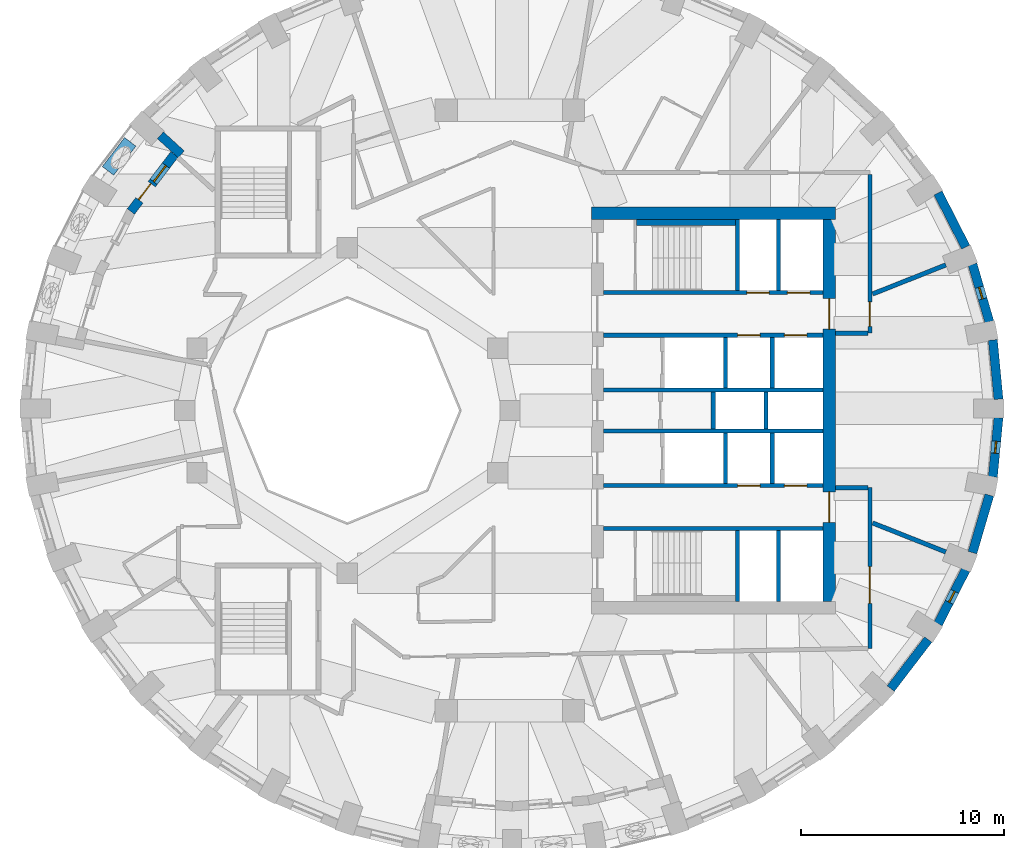
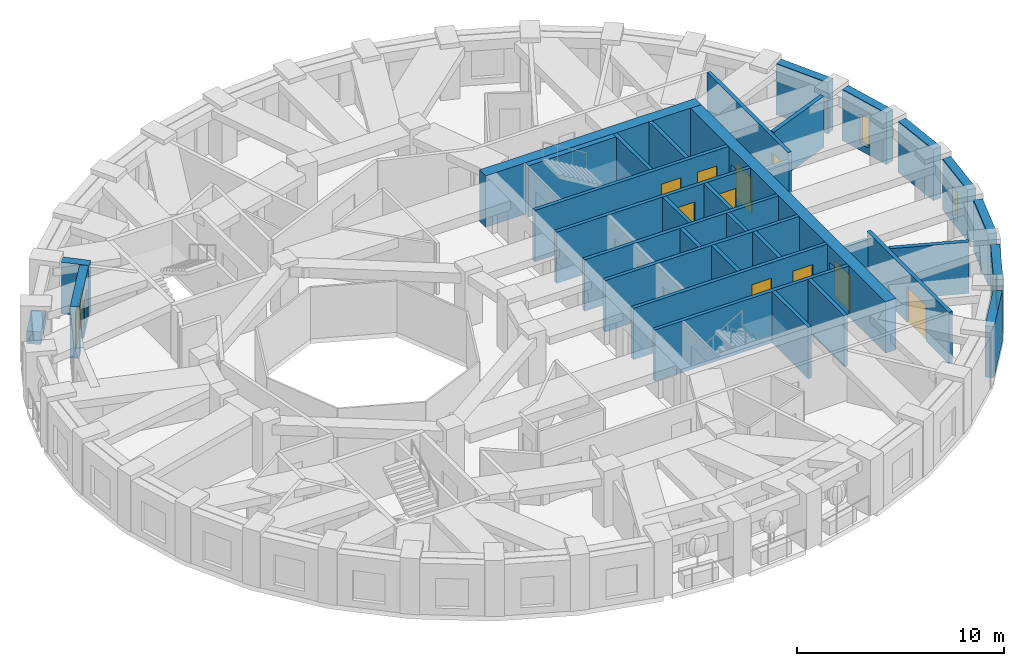
# One storey, part 6 of 11: 35 walls, 11 doors, 4 windows, 15 openings.
"""IFC4 building model written with IfcOpenShell, lengths in metres."""

from ifc_helpers import new_model, si_unit, direction, frame, frame_2d, origin, place, context, subcontext, project, spatial, rectangle, extrude, material, layer, layer_set, constituent, constituent_set, type_object, element, fill, save


model = new_model("IFC4")

# Units and contexts
model_context = context("Model", 3, precision=1e-05, world=origin(), true_north=direction((0.0, 1.0)))
body_context = subcontext(model_context, "Body", "Model", "MODEL_VIEW")
ifc_project = project(units=[si_unit("LENGTHUNIT", "METRE"), si_unit("AREAUNIT", "SQUARE_METRE"), si_unit("VOLUMEUNIT", "CUBIC_METRE"), si_unit("PLANEANGLEUNIT", "RADIAN"), si_unit("MASSUNIT", "GRAM", prefix="KILO")], contexts=[model_context])

# Site, building, storey
site_placement = place(None, origin())
site = spatial("IfcSite", under=ifc_project, at=site_placement, CompositionType="ELEMENT")
building_placement = place(site_placement, origin())
building = spatial("IfcBuilding", under=site, at=building_placement, Name="Taillehof Tower", CompositionType="ELEMENT")
storey_placement = place(building_placement, frame((0.0, 0.0, 158.300048828125)))
storey = spatial("IfcBuildingStorey", under=building, at=storey_placement, Name="L44", CompositionType="ELEMENT", Elevation=158.300048828125)

# Wall
ifc_material_1 = material(Name="Brick masonry", Category="masonry")
ifc_layer_1 = layer(ifc_material_1, 0.449951171875)
ifc_layer_set_1 = layer_set([ifc_layer_1], Name="Brick infill wall 450")
wall_type_1 = type_object("IfcWallType", Name="Brick infill wall 450", PredefinedType="SOLIDWALL", material=ifc_layer_set_1)
wall_1_placement = place(storey_placement, frame((24.030517578125, 0.55517578125, 0.0), z_axis=(0.0, 0.0, 1.0), x_axis=(-0.095265737322, 0.995451876935, 0.0)))
element("IfcWall", 1, at=wall_1_placement, inside=storey, type_object=wall_type_1, Name="Brick wall L44 bay 1", PredefinedType="SOLIDWALL", context=body_context, shape_type="SweptSolid", body=[
    extrude(rectangle(XDim=2.9267578125, YDim=0.449951171875, at=frame_2d((1.46337890625, 0.0))), origin(), (0.0, 0.0, 1.0), 3.02001953125),
])

# Wall, opening, window
wall_2_placement = place(storey_placement, frame((23.579833984375, 4.3623046875, 0.0), z_axis=(0.0, 0.0, 1.0), x_axis=(-0.281049481624, 0.959693278542, 0.0)))
wall_2 = element("IfcWall", 2, at=wall_2_placement, inside=storey, type_object=wall_type_1, Name="Brick wall L44 bay 2", PredefinedType="SOLIDWALL", context=body_context, shape_type="SweptSolid", body=[
    extrude(rectangle(XDim=2.947509765625, YDim=0.449951171875, at=frame_2d((1.4736328125, 0.0))), origin(), (0.0, 0.0, 1.0), 3.02001953125),
])
opening_1_placement = place(wall_2_placement, frame((1.173583984375, 0.0, 0.39990234375)))
opening_1 = element("IfcOpeningElement", 3, at=opening_1_placement, cuts=wall_2, Name="Opening W6", PredefinedType="OPENING", context=body_context, shape_type="SweptSolid", body=[
    extrude(rectangle(XDim=0.60009765625, YDim=1.75, at=frame_2d((0.300048828125, 0.875))), frame((0.0, 0.23486328125, 0.0), z_axis=(0.0, -1.0, 0.0), x_axis=(1.0, 0.0, 0.0)), (0.0, 0.0, 1.0), 0.469970703125),
])
ifc_material_2 = material(Name="Aluminium window frame with clear double glazing", Category="aluminium")
window_type_1 = type_object("IfcWindowType", Name="Slot window 600x1750", PartitioningType="SINGLE_PANEL", PredefinedType="WINDOW", material=ifc_material_2)
window_1_placement = place(opening_1_placement, origin())
window_1 = element("IfcWindow", 4, at=window_1_placement, inside=storey, type_object=window_type_1, Name="W6", OverallHeight=1.75, OverallWidth=0.60009765625, PartitioningType="SINGLE_PANEL", PredefinedType="WINDOW", context=body_context, shape_type="SweptSolid", body=[
    extrude(rectangle(XDim=0.60009765625, YDim=1.75, at=frame_2d((0.300048828125, 0.875))), frame((0.0, 0.034912109375, 0.0), z_axis=(0.0, -1.0, 0.0), x_axis=(1.0, 0.0, 0.0)), (0.0, 0.0, 1.0), 0.06005859375),
])
fill(opening_1, window_1)

# Walls
wall_3_placement = place(storey_placement, frame((22.415283203125, 8.036865234375, 0.0), z_axis=(0.0, 0.0, 1.0), x_axis=(-0.454133999889, 0.890933392653, 0.0)))
element("IfcWall", 5, at=wall_3_placement, inside=storey, type_object=wall_type_1, Name="Brick wall L44 bay 3", PredefinedType="SOLIDWALL", context=body_context, shape_type="SweptSolid", body=[
    extrude(rectangle(XDim=2.98583984375, YDim=0.449951171875, at=frame_2d((1.492919921875, 0.0))), origin(), (0.0, 0.0, 1.0), 3.02001953125),
])
wall_4_placement = place(storey_placement, frame((18.72802734375, -13.6787109375, 0.0), z_axis=(0.0, 0.0, 1.0), x_axis=(0.607817056371, 0.794077090706, 0.0)))
element("IfcWall", 6, at=wall_4_placement, inside=storey, type_object=wall_type_1, Name="Brick wall L44 bay 33", PredefinedType="SOLIDWALL", context=body_context, shape_type="SweptSolid", body=[
    extrude(rectangle(XDim=3.037109375, YDim=0.449951171875, at=frame_2d((1.5185546875, 0.0))), origin(), (0.0, 0.0, 1.0), 3.02001953125),
])

# Wall, opening, window
wall_5_placement = place(storey_placement, frame((21.059326171875, -10.4970703125, 0.0), z_axis=(0.0, 0.0, 1.0), x_axis=(0.454133999889, 0.890933392653, 0.0)))
wall_5 = element("IfcWall", 7, at=wall_5_placement, inside=storey, type_object=wall_type_1, Name="Brick wall L44 bay 34", PredefinedType="SOLIDWALL", context=body_context, shape_type="SweptSolid", body=[
    extrude(rectangle(XDim=2.98583984375, YDim=0.449951171875, at=frame_2d((1.492919921875, 0.0))), origin(), (0.0, 0.0, 1.0), 3.02001953125),
])
opening_2_placement = place(wall_5_placement, frame((1.19287109375, 0.0, 0.39990234375)))
opening_2 = element("IfcOpeningElement", 8, at=opening_2_placement, cuts=wall_5, Name="Opening W6", PredefinedType="OPENING", context=body_context, shape_type="SweptSolid", body=[
    extrude(rectangle(XDim=0.60009765625, YDim=1.75, at=frame_2d((0.300048828125, 0.875))), frame((0.0, 0.23486328125, 0.0), z_axis=(0.0, -1.0, 0.0), x_axis=(1.0, 0.0, 0.0)), (0.0, 0.0, 1.0), 0.469970703125),
])
window_2_placement = place(opening_2_placement, origin())
window_2 = element("IfcWindow", 9, at=window_2_placement, inside=storey, type_object=window_type_1, Name="W6", OverallHeight=1.75, OverallWidth=0.60009765625, PartitioningType="SINGLE_PANEL", PredefinedType="WINDOW", context=body_context, shape_type="SweptSolid", body=[
    extrude(rectangle(XDim=0.60009765625, YDim=1.75, at=frame_2d((0.300048828125, 0.875))), frame((0.0, 0.034912109375, 0.0), z_axis=(0.0, -1.0, 0.0), x_axis=(1.0, 0.0, 0.0)), (0.0, 0.0, 1.0), 0.06005859375),
])
fill(opening_2, window_2)

# Wall
wall_6_placement = place(storey_placement, frame((22.75146484375, -6.990966796875, 0.0), z_axis=(0.0, 0.0, 1.0), x_axis=(0.281049481624, 0.959693278542, 0.0)))
element("IfcWall", 10, at=wall_6_placement, inside=storey, type_object=wall_type_1, Name="Brick wall L44 bay 35", PredefinedType="SOLIDWALL", context=body_context, shape_type="SweptSolid", body=[
    extrude(rectangle(XDim=2.947509765625, YDim=0.449951171875, at=frame_2d((1.4736328125, 0.0))), origin(), (0.0, 0.0, 1.0), 3.02001953125),
])

# Wall, opening, window
wall_7_placement = place(storey_placement, frame((23.751708984375, -3.2685546875, 0.0), z_axis=(0.0, 0.0, 1.0), x_axis=(0.095257827044, 0.995452633924, 0.0)))
wall_7 = element("IfcWall", 11, at=wall_7_placement, inside=storey, type_object=wall_type_1, Name="Brick wall L44 bay 36", PredefinedType="SOLIDWALL", context=body_context, shape_type="SweptSolid", body=[
    extrude(rectangle(XDim=2.927001953125, YDim=0.449951171875, at=frame_2d((1.46337890625, 0.0))), origin(), (0.0, 0.0, 1.0), 3.02001953125),
])
opening_3_placement = place(wall_7_placement, frame((1.163330078125, 0.0, 0.39990234375)))
opening_3 = element("IfcOpeningElement", 12, at=opening_3_placement, cuts=wall_7, Name="Opening W6", PredefinedType="OPENING", context=body_context, shape_type="SweptSolid", body=[
    extrude(rectangle(XDim=0.60009765625, YDim=1.75, at=frame_2d((0.300048828125, 0.875))), frame((0.0, 0.23486328125, 0.0), z_axis=(0.0, -1.0, 0.0), x_axis=(1.0, 0.0, 0.0)), (0.0, 0.0, 1.0), 0.469970703125),
])
window_3_placement = place(opening_3_placement, origin())
window_3 = element("IfcWindow", 13, at=window_3_placement, inside=storey, type_object=window_type_1, Name="W6", OverallHeight=1.75, OverallWidth=0.60009765625, PartitioningType="SINGLE_PANEL", PredefinedType="WINDOW", context=body_context, shape_type="SweptSolid", body=[
    extrude(rectangle(XDim=0.60009765625, YDim=1.75, at=frame_2d((0.300048828125, 0.875))), frame((0.0, 0.034912109375, 0.0), z_axis=(0.0, -1.0, 0.0), x_axis=(1.0, 0.0, 0.0)), (0.0, 0.0, 1.0), 0.06005859375),
])
fill(opening_3, window_3)

# Wall
wall_8_placement = place(storey_placement, frame((-17.19482421875, 13.537353515625, 0.0), z_axis=(0.0, 0.0, 1.0), x_axis=(0.737918885826, -0.674889411638, 0.0)))
element("IfcWall", 14, at=wall_8_placement, inside=storey, type_object=wall_type_1, Name="Brick reveal L44 pocket 4", PredefinedType="SOLIDWALL", context=body_context, shape_type="SweptSolid", body=[
    extrude(rectangle(XDim=1.390625, YDim=0.449951171875, at=frame_2d((0.6953125, 0.0))), origin(), (0.0, 0.0, 1.0), 3.02001953125),
])

# Wall, openings, door, window
wall_9_placement = place(storey_placement, frame((-16.500732421875, 12.59765625, 0.0), z_axis=(0.0, 0.0, 1.0), x_axis=(-0.606778881252, -0.794870674554, 0.0)))
wall_9 = element("IfcWall", 15, at=wall_9_placement, inside=storey, type_object=wall_type_1, Name="Brick wall L44 pocket bay 15", PredefinedType="SOLIDWALL", context=body_context, shape_type="SweptSolid", body=[
    extrude(rectangle(XDim=3.538330078125, YDim=0.449951171875, at=frame_2d((1.76904296875, 0.0))), origin(), (0.0, 0.0, 1.0), 3.02001953125),
])
opening_4_placement = place(wall_9_placement, frame((0.694091796875, 0.0, 0.39990234375)))
opening_4 = element("IfcOpeningElement", 16, at=opening_4_placement, cuts=wall_9, Name="Opening W5", PredefinedType="OPENING", context=body_context, shape_type="SweptSolid", body=[
    extrude(rectangle(XDim=1.0, YDim=1.75, at=frame_2d((0.5, 0.875))), frame((0.0, 0.23486328125, 0.0), z_axis=(0.0, -1.0, 0.0), x_axis=(1.0, 0.0, 0.0)), (0.0, 0.0, 1.0), 0.469970703125),
])
opening_5_placement = place(wall_9_placement, frame((1.84423828125, 0.0, 0.0)))
opening_5 = element("IfcOpeningElement", 17, at=opening_5_placement, cuts=wall_9, Name="Opening D4494", PredefinedType="OPENING", context=body_context, shape_type="SweptSolid", body=[
    extrude(rectangle(XDim=1.0, YDim=2.14990234375, at=frame_2d((0.5, 1.074951171875))), frame((0.0, 0.23486328125, 0.0), z_axis=(0.0, -1.0, 0.0), x_axis=(1.0, 0.0, 0.0)), (0.0, 0.0, 1.0), 0.469970703125),
])
ifc_material_3 = material(Name="Aluminium door frame with clear double glazing", Category="aluminium")
door_type_1 = type_object("IfcDoorType", Name="Balcony door 1000x2150", OperationType="SINGLE_SWING_RIGHT", PredefinedType="DOOR", material=ifc_material_3)
door_1_placement = place(opening_5_placement, frame((1.0, 0.0, 0.0), z_axis=(0.0, 0.0, 1.0), x_axis=(-1.0, 0.0, 0.0)))
door_1 = element("IfcDoor", 18, at=door_1_placement, inside=storey, type_object=door_type_1, Name="Balcony door L44 bay 15", OperationType="SINGLE_SWING_RIGHT", OverallHeight=2.14990234375, OverallWidth=1.0, PredefinedType="DOOR", context=body_context, shape_type="SweptSolid", body=[
    extrude(rectangle(XDim=1.0, YDim=2.14990234375, at=frame_2d((0.5, 1.074951171875))), frame((0.0, 0.0751953125, 0.0), z_axis=(0.0, -1.0, 0.0), x_axis=(1.0, 0.0, 0.0)), (0.0, 0.0, 1.0), 0.050048828125),
])
fill(opening_5, door_1)
ifc_material_4 = material(Name="Aluminium window frame with clear double glazing", Category="aluminium")
window_type_2 = type_object("IfcWindowType", Name="Fixed window 1000x1750", PartitioningType="SINGLE_PANEL", PredefinedType="WINDOW", material=ifc_material_4)
window_4_placement = place(opening_4_placement, origin())
window_4 = element("IfcWindow", 19, at=window_4_placement, inside=storey, type_object=window_type_2, Name="W5", OverallHeight=1.75, OverallWidth=1.0, PartitioningType="SINGLE_PANEL", PredefinedType="WINDOW", context=body_context, shape_type="SweptSolid", body=[
    extrude(rectangle(XDim=1.0, YDim=1.75, at=frame_2d((0.5, 0.875))), frame((0.0, 0.034912109375, 0.0), z_axis=(0.0, -1.0, 0.0), x_axis=(1.0, 0.0, 0.0)), (0.0, 0.0, 1.0), 0.06005859375),
])
fill(opening_4, window_4)

# Walls
ifc_material_5 = material(Name="Calcium silicate masonry", Category="masonry")
ifc_layer_2 = layer(ifc_material_5, 0.199951171875)
ifc_layer_set_2 = layer_set([ifc_layer_2], Name="Compartment wall calcium silicate 200")
wall_type_2 = type_object("IfcWallType", Name="Compartment wall calcium silicate 200", PredefinedType="PARTITIONING", material=ifc_layer_set_2)
for number, where, z_axis, x_axis, name in (
    (20, (10.0, -0.89990234375, 0.0), (0.0, 0.0, 1.0), (0.0, 1.0, 0.0), "Compartment wall FW"),
    (21, (12.60009765625, -0.89990234375, 0.0), (0.0, 0.0, 1.0), (0.0, 1.0, 0.0), "Compartment wall FW"),
):
    element("IfcWall", number, at=place(storey_placement, frame(where, z_axis=z_axis, x_axis=x_axis)), inside=storey, type_object=wall_type_2, Name=name, PredefinedType="PARTITIONING", context=body_context, shape_type="SweptSolid", body=[
        extrude(rectangle(XDim=1.7998046875, YDim=0.199951171875, at=frame_2d((0.89990234375, 0.0))), origin(), (0.0, 0.0, 1.0), 3.02001953125),
    ])

# Wall, opening, door
ifc_material_6 = material(Name="Gypsum board on steel studs, two layers each side", Category="steel")
ifc_layer_3 = layer(ifc_material_6, 0.199951171875)
ifc_layer_set_3 = layer_set([ifc_layer_3], Name="Compartment wall corridor 200")
wall_type_3 = type_object("IfcWallType", Name="Compartment wall corridor 200", PredefinedType="PARTITIONING", material=ifc_layer_set_3)
wall_10_placement = place(storey_placement, frame((17.699951171875, -3.800048828125, 0.0), z_axis=(0.0, 0.0, 1.0), x_axis=(0.0, -1.0, 0.0)))
wall_10 = element("IfcWall", 22, at=wall_10_placement, inside=storey, type_object=wall_type_3, Name="Compartment wall", PredefinedType="PARTITIONING", context=body_context, shape_type="SweptSolid", body=[
    extrude(rectangle(XDim=7.89990234375, YDim=0.199951171875, at=frame_2d((3.949951171875, 0.0))), origin(), (0.0, 0.0, 1.0), 3.02001953125),
])
opening_6_placement = place(wall_10_placement, frame((3.8828125, 0.0, 0.0)))
opening_6 = element("IfcOpeningElement", 23, at=opening_6_placement, cuts=wall_10, Name="Opening D4456", PredefinedType="OPENING", context=body_context, shape_type="SweptSolid", body=[
    extrude(rectangle(XDim=1.800048828125, YDim=2.10009765625, at=frame_2d((0.89990234375, 1.050048828125))), frame((0.0, 0.10986328125, 0.0), z_axis=(0.0, -1.0, 0.0), x_axis=(1.0, 0.0, 0.0)), (0.0, 0.0, 1.0), 0.219970703125),
])
ifc_material_7 = material(Name="Timber door leaf in steel frame", Category="steel")
door_type_2 = type_object("IfcDoorType", Name="Lounge and meeting room double door EI 30 1800 x 2100", OperationType="SINGLE_SWING_LEFT", PredefinedType="DOOR", material=ifc_material_7)
door_2_placement = place(opening_6_placement, origin())
door_2 = element("IfcDoor", 24, at=door_2_placement, inside=storey, type_object=door_type_2, Name="D4456", OperationType="DOUBLE_DOOR_SINGLE_SWING", OverallHeight=2.10009765625, OverallWidth=1.800048828125, PredefinedType="DOOR", context=body_context, shape_type="SweptSolid", body=[
    extrude(rectangle(XDim=1.800048828125, YDim=2.10009765625, at=frame_2d((0.89990234375, 1.050048828125))), frame((0.0, 0.02490234375, 0.0), z_axis=(0.0, -1.0, 0.0), x_axis=(1.0, 0.0, 0.0)), (0.0, 0.0, 1.0), 0.050048828125),
])
fill(opening_6, door_2)

wall_11_placement = place(storey_placement, frame((17.699951171875, 11.599853515625, 0.0), z_axis=(0.0, 0.0, 1.0), x_axis=(0.0, -1.0, 0.0)))
wall_11 = element("IfcWall", 25, at=wall_11_placement, inside=storey, type_object=wall_type_3, Name="Compartment wall", PredefinedType="PARTITIONING", context=body_context, shape_type="SweptSolid", body=[
    extrude(rectangle(XDim=7.7998046875, YDim=0.199951171875, at=frame_2d((3.89990234375, 0.0))), origin(), (0.0, 0.0, 1.0), 3.02001953125),
])
opening_7_placement = place(wall_11_placement, frame((6.25634765625, 0.0, 0.0)))
opening_7 = element("IfcOpeningElement", 26, at=opening_7_placement, cuts=wall_11, Name="Opening D4457", PredefinedType="OPENING", context=body_context, shape_type="SweptSolid", body=[
    extrude(rectangle(XDim=1.199951171875, YDim=2.10009765625, at=frame_2d((0.60009765625, 1.050048828125))), frame((0.0, 0.10986328125, 0.0), z_axis=(0.0, -1.0, 0.0), x_axis=(1.0, 0.0, 0.0)), (0.0, 0.0, 1.0), 0.219970703125),
])
ifc_material_8 = material(Name="Timber door leaf in steel frame", Category="steel")
door_type_3 = type_object("IfcDoorType", Name="Suite entrance door EI 30 1200 x 2100", OperationType="SINGLE_SWING_LEFT", PredefinedType="DOOR", material=ifc_material_8)
door_3_placement = place(opening_7_placement, origin())
door_3 = element("IfcDoor", 27, at=door_3_placement, inside=storey, type_object=door_type_3, Name="D4457", OperationType="SINGLE_SWING_LEFT", OverallHeight=2.10009765625, OverallWidth=1.199951171875, PredefinedType="DOOR", context=body_context, shape_type="SweptSolid", body=[
    extrude(rectangle(XDim=1.199951171875, YDim=2.10009765625, at=frame_2d((0.60009765625, 1.050048828125))), frame((0.0, 0.02490234375, 0.0), z_axis=(0.0, -1.0, 0.0), x_axis=(1.0, 0.0, 0.0)), (0.0, 0.0, 1.0), 0.050048828125),
])
fill(opening_7, door_3)

# Walls
for number, where, z_axis, x_axis, name in (
    (28, (17.599853515625, 3.800048828125, 0.0), (0.0, 0.0, 1.0), (-1.0, 0.0, 0.0), "Compartment wall"),
    (29, (16.00390625, -3.800048828125, 0.0), (0.0, 0.0, 1.0), (1.0, 0.0, 0.0), "Compartment wall"),
):
    element("IfcWall", number, at=place(storey_placement, frame(where, z_axis=z_axis, x_axis=x_axis)), inside=storey, type_object=wall_type_3, Name=name, PredefinedType="PARTITIONING", context=body_context, shape_type="SweptSolid", body=[
        extrude(rectangle(XDim=1.595947265625, YDim=0.199951171875, at=frame_2d((0.7978515625, 0.0))), origin(), (0.0, 0.0, 1.0), 2.570068359375),
    ])
ifc_material_9 = material(Name="Gypsum board on double steel studs with mineral wool", Category="steel")
ifc_layer_4 = layer(ifc_material_9, 0.219970703125)
ifc_layer_set_4 = layer_set([ifc_layer_4], Name="Compartment wall guest room 220")
wall_type_4 = type_object("IfcWallType", Name="Compartment wall guest room 220", PredefinedType="PARTITIONING", material=ifc_layer_set_4)
for number, where, z_axis, x_axis, name in (
    (30, (21.438720703125, 7.15966796875, 0.0), (0.0, 0.0, 1.0), (-0.929511625875, -0.36879281089, 0.0), "Compartment wall"),
    (31, (21.438720703125, -6.959716796875, 0.0), (0.0, 0.0, 1.0), (-0.929511625875, 0.36879281089, 0.0), "Compartment wall"),
):
    element("IfcWall", number, at=place(storey_placement, frame(where, z_axis=z_axis, x_axis=x_axis)), inside=storey, type_object=wall_type_4, Name=name, PredefinedType="PARTITIONING", context=body_context, shape_type="SweptSolid", body=[
        extrude(rectangle(XDim=3.874755859375, YDim=0.219970703125, at=frame_2d((1.9375, 0.0))), origin(), (0.0, 0.0, 1.0), 3.02001953125),
    ])
ifc_material_10 = material(Name="Calcium silicate masonry", Category="masonry")
ifc_layer_5 = layer(ifc_material_10, 0.300048828125)
ifc_layer_set_5 = layer_set([ifc_layer_5], Name="Compartment wall lining calcium silicate 300")
wall_type_5 = type_object("IfcWallType", Name="Compartment wall lining calcium silicate 300", PredefinedType="PARTITIONING", material=ifc_layer_set_5)
wall_12_placement = place(storey_placement, frame((6.219970703125, 9.25, 0.0), z_axis=(0.0, 0.0, 1.0), x_axis=(1.0, 0.0, 0.0)))
element("IfcWall", 32, at=wall_12_placement, inside=storey, type_object=wall_type_5, Name="Compartment wall FW", PredefinedType="PARTITIONING", context=body_context, shape_type="SweptSolid", body=[
    extrude(rectangle(XDim=4.880126953125, YDim=0.300048828125, at=frame_2d((2.43994140625, 0.0))), origin(), (0.0, 0.0, 1.0), 3.02001953125),
])

# Wall, openings, doors
ifc_material_11 = material(Name="Concrete C80/95", Category="concrete")
ifc_layer_6 = layer(ifc_material_11, 0.60009765625)
ifc_layer_set_6 = layer_set([ifc_layer_6], Name="Core wall C80/95 600")
wall_type_6 = type_object("IfcWallType", Name="Core wall C80/95 600", PredefinedType="SHEAR", material=ifc_layer_set_6)
wall_13_placement = place(storey_placement, frame((15.699951171875, -9.39990234375, 0.0), z_axis=(0.0, 0.0, 1.0), x_axis=(0.0, 1.0, 0.0)))
wall_13 = element("IfcWall", 33, at=wall_13_placement, inside=storey, type_object=wall_type_6, Name="Core wall CW05", PredefinedType="SHEAR", context=body_context, shape_type="SweptSolid", body=[
    extrude(rectangle(XDim=18.7998046875, YDim=0.60009765625, at=frame_2d((9.39990234375, 0.0))), origin(), (0.0, 0.0, 1.0), 3.02001953125),
])
opening_8_placement = place(wall_13_placement, frame((13.39990234375, 0.0, 0.0)))
opening_8 = element("IfcOpeningElement", 34, at=opening_8_placement, cuts=wall_13, Name="Opening D4408", PredefinedType="OPENING", context=body_context, shape_type="SweptSolid", body=[
    extrude(rectangle(XDim=1.5, YDim=2.10009765625, at=frame_2d((0.75, 1.050048828125))), frame((0.0, 0.31005859375, 0.0), z_axis=(0.0, -1.0, 0.0), x_axis=(1.0, 0.0, 0.0)), (0.0, 0.0, 1.0), 0.6201171875),
])
opening_9_placement = place(wall_13_placement, frame((3.89990234375, 0.0, 0.0)))
opening_9 = element("IfcOpeningElement", 35, at=opening_9_placement, cuts=wall_13, Name="Opening D4409", PredefinedType="OPENING", context=body_context, shape_type="SweptSolid", body=[
    extrude(rectangle(XDim=1.5, YDim=2.10009765625, at=frame_2d((0.75, 1.050048828125))), frame((0.0, 0.31005859375, 0.0), z_axis=(0.0, -1.0, 0.0), x_axis=(1.0, 0.0, 0.0)), (0.0, 0.0, 1.0), 0.6201171875),
])
ifc_material_12 = material(Name="Steel-faced fire door", Category="steel")
door_type_4 = type_object("IfcDoorType", Name="Lift lobby east door 1500x2100", OperationType="DOUBLE_DOOR_SINGLE_SWING", PredefinedType="DOOR", material=ifc_material_12)
door_4_placement = place(opening_8_placement, origin())
door_4 = element("IfcDoor", 36, at=door_4_placement, inside=storey, type_object=door_type_4, Name="Lift lobby east door north", OperationType="DOUBLE_DOOR_SINGLE_SWING", OverallHeight=2.10009765625, OverallWidth=1.5, PredefinedType="DOOR", context=body_context, shape_type="SweptSolid", body=[
    extrude(rectangle(XDim=1.5, YDim=2.10009765625, at=frame_2d((0.75, 1.050048828125))), frame((0.0, 0.02490234375, 0.0), z_axis=(0.0, -1.0, 0.0), x_axis=(1.0, 0.0, 0.0)), (0.0, 0.0, 1.0), 0.050048828125),
])
fill(opening_8, door_4)
door_5_placement = place(opening_9_placement, origin())
door_5 = element("IfcDoor", 37, at=door_5_placement, inside=storey, type_object=door_type_4, Name="Lift lobby east door south", OperationType="DOUBLE_DOOR_SINGLE_SWING", OverallHeight=2.10009765625, OverallWidth=1.5, PredefinedType="DOOR", context=body_context, shape_type="SweptSolid", body=[
    extrude(rectangle(XDim=1.5, YDim=2.10009765625, at=frame_2d((0.75, 1.050048828125))), frame((0.0, 0.02490234375, 0.0), z_axis=(0.0, -1.0, 0.0), x_axis=(1.0, 0.0, 0.0)), (0.0, 0.0, 1.0), 0.050048828125),
])
fill(opening_9, door_5)

# Walls
wall_14_placement = place(storey_placement, frame((4.0, 9.699951171875, 0.0), z_axis=(0.0, 0.0, 1.0), x_axis=(1.0, 0.0, 0.0)))
element("IfcWall", 38, at=wall_14_placement, inside=storey, type_object=wall_type_6, Name="Core wall CW06", PredefinedType="SHEAR", context=body_context, shape_type="SweptSolid", body=[
    extrude(rectangle(XDim=12.0, YDim=0.60009765625, at=frame_2d((6.0, 0.0))), origin(), (0.0, 0.0, 1.0), 3.02001953125),
])
ifc_material_13 = material(Name="Concrete C30/37 precast", Category="concrete")
ifc_constituent_1 = constituent(ifc_material_13, Name="Structure", Category="concrete")
ifc_material_14 = material(Name="Insulated lining")
ifc_constituent_2 = constituent(ifc_material_14, Name="Lining")
ifc_constituent_set = constituent_set(constituents=[ifc_constituent_1, ifc_constituent_2], Name="Planter trough 700x750")
wall_type_7 = type_object("IfcWallType", Name="Planter trough 700x750", PredefinedType="USERDEFINED", material=ifc_constituent_set)
wall_15_placement = place(storey_placement, frame((-18.677978515625, 13.214111328125, 0.0), z_axis=(0.0, 0.0, 1.0), x_axis=(-0.607762189494, -0.794119084912, 0.0)))
element("IfcWall", 39, at=wall_15_placement, inside=storey, type_object=wall_type_7, Name="Planter L44 bay 15", ObjectType="PLANTER", PredefinedType="USERDEFINED", context=body_context, shape_type="SweptSolid", body=[
    extrude(rectangle(XDim=1.800048828125, YDim=0.699951171875, at=frame_2d((0.89990234375, 0.0))), origin(), (0.0, 0.0, 1.0), 0.75),
])

# Wall, openings, doors
ifc_material_15 = material(Name="Concrete C50/60", Category="concrete")
ifc_layer_7 = layer(ifc_material_15, 0.199951171875)
ifc_layer_set_7 = layer_set([ifc_layer_7], Name="Shaft wall C50/60 200")
wall_type_8 = type_object("IfcWallType", Name="Shaft wall C50/60 200", PredefinedType="SHEAR", material=ifc_layer_set_7)
wall_16_placement = place(storey_placement, frame((4.60009765625, 5.800048828125, 0.0), z_axis=(0.0, 0.0, 1.0), x_axis=(1.0, 0.0, 0.0)))
wall_16 = element("IfcWall", 40, at=wall_16_placement, inside=storey, type_object=wall_type_8, Name="Shaft wall SW", PredefinedType="SHEAR", context=body_context, shape_type="SweptSolid", body=[
    extrude(rectangle(XDim=10.7998046875, YDim=0.199951171875, at=frame_2d((5.39990234375, 0.0))), origin(), (0.0, 0.0, 1.0), 3.02001953125),
])
opening_10_placement = place(wall_16_placement, frame((7.050048828125, 0.0, 0.0)))
opening_10 = element("IfcOpeningElement", 41, at=opening_10_placement, cuts=wall_16, Name="Opening LD1", PredefinedType="OPENING", context=body_context, shape_type="SweptSolid", body=[
    extrude(rectangle(XDim=1.10009765625, YDim=2.10009765625, at=frame_2d((0.550048828125, 1.050048828125))), frame((0.0, 0.10986328125, 0.0), z_axis=(0.0, -1.0, 0.0), x_axis=(1.0, 0.0, 0.0)), (0.0, 0.0, 1.0), 0.219970703125),
])
opening_11_placement = place(wall_16_placement, frame((9.050048828125, 0.0, 0.0)))
opening_11 = element("IfcOpeningElement", 42, at=opening_11_placement, cuts=wall_16, Name="Opening LD1", PredefinedType="OPENING", context=body_context, shape_type="SweptSolid", body=[
    extrude(rectangle(XDim=1.10009765625, YDim=2.10009765625, at=frame_2d((0.550048828125, 1.050048828125))), frame((0.0, 0.10986328125, 0.0), z_axis=(0.0, -1.0, 0.0), x_axis=(1.0, 0.0, 0.0)), (0.0, 0.0, 1.0), 0.219970703125),
])
ifc_material_16 = material(Name="Stainless steel", Category="steel")
door_type_5 = type_object("IfcDoorType", Name="Lift landing door LD1 1100x2100", OperationType="DOUBLE_DOOR_SLIDING", PredefinedType="DOOR", material=ifc_material_16)
door_6_placement = place(opening_10_placement, origin())
door_6 = element("IfcDoor", 43, at=door_6_placement, inside=storey, type_object=door_type_5, Name="Landing door HR1", OperationType="DOUBLE_DOOR_SLIDING", OverallHeight=2.10009765625, OverallWidth=1.10009765625, PredefinedType="DOOR", context=body_context, shape_type="SweptSolid", body=[
    extrude(rectangle(XDim=1.10009765625, YDim=2.10009765625, at=frame_2d((0.550048828125, 1.050048828125))), frame((0.0, 0.02490234375, 0.0), z_axis=(0.0, -1.0, 0.0), x_axis=(1.0, 0.0, 0.0)), (0.0, 0.0, 1.0), 0.050048828125),
])
fill(opening_10, door_6)
door_7_placement = place(opening_11_placement, origin())
door_7 = element("IfcDoor", 44, at=door_7_placement, inside=storey, type_object=door_type_5, Name="Landing door HR2", OperationType="DOUBLE_DOOR_SLIDING", OverallHeight=2.10009765625, OverallWidth=1.10009765625, PredefinedType="DOOR", context=body_context, shape_type="SweptSolid", body=[
    extrude(rectangle(XDim=1.10009765625, YDim=2.10009765625, at=frame_2d((0.550048828125, 1.050048828125))), frame((0.0, 0.02490234375, 0.0), z_axis=(0.0, -1.0, 0.0), x_axis=(1.0, 0.0, 0.0)), (0.0, 0.0, 1.0), 0.050048828125),
])
fill(opening_11, door_7)

wall_17_placement = place(storey_placement, frame((4.60009765625, 3.699951171875, 0.0), z_axis=(0.0, 0.0, 1.0), x_axis=(1.0, 0.0, 0.0)))
wall_17 = element("IfcWall", 45, at=wall_17_placement, inside=storey, type_object=wall_type_8, Name="Shaft wall SW", PredefinedType="SHEAR", context=body_context, shape_type="SweptSolid", body=[
    extrude(rectangle(XDim=10.7998046875, YDim=0.199951171875, at=frame_2d((5.39990234375, 0.0))), origin(), (0.0, 0.0, 1.0), 3.02001953125),
])
opening_12_placement = place(wall_17_placement, frame((6.60009765625, 0.0, 0.0)))
opening_12 = element("IfcOpeningElement", 46, at=opening_12_placement, cuts=wall_17, Name="Opening LD1", PredefinedType="OPENING", context=body_context, shape_type="SweptSolid", body=[
    extrude(rectangle(XDim=1.10009765625, YDim=2.10009765625, at=frame_2d((0.550048828125, 1.050048828125))), frame((0.0, 0.10986328125, 0.0), z_axis=(0.0, -1.0, 0.0), x_axis=(1.0, 0.0, 0.0)), (0.0, 0.0, 1.0), 0.219970703125),
])
opening_13_placement = place(wall_17_placement, frame((8.89990234375, 0.0, 0.0)))
opening_13 = element("IfcOpeningElement", 47, at=opening_13_placement, cuts=wall_17, Name="Opening LD1", PredefinedType="OPENING", context=body_context, shape_type="SweptSolid", body=[
    extrude(rectangle(XDim=1.10009765625, YDim=2.10009765625, at=frame_2d((0.550048828125, 1.050048828125))), frame((0.0, 0.10986328125, 0.0), z_axis=(0.0, -1.0, 0.0), x_axis=(1.0, 0.0, 0.0)), (0.0, 0.0, 1.0), 0.219970703125),
])
door_8_placement = place(opening_12_placement, origin())
door_8 = element("IfcDoor", 48, at=door_8_placement, inside=storey, type_object=door_type_5, Name="Landing door HR3", OperationType="DOUBLE_DOOR_SLIDING", OverallHeight=2.10009765625, OverallWidth=1.10009765625, PredefinedType="DOOR", context=body_context, shape_type="SweptSolid", body=[
    extrude(rectangle(XDim=1.10009765625, YDim=2.10009765625, at=frame_2d((0.550048828125, 1.050048828125))), frame((0.0, 0.02490234375, 0.0), z_axis=(0.0, -1.0, 0.0), x_axis=(1.0, 0.0, 0.0)), (0.0, 0.0, 1.0), 0.050048828125),
])
fill(opening_12, door_8)
door_9_placement = place(opening_13_placement, origin())
door_9 = element("IfcDoor", 49, at=door_9_placement, inside=storey, type_object=door_type_5, Name="Landing door HR4", OperationType="DOUBLE_DOOR_SLIDING", OverallHeight=2.10009765625, OverallWidth=1.10009765625, PredefinedType="DOOR", context=body_context, shape_type="SweptSolid", body=[
    extrude(rectangle(XDim=1.10009765625, YDim=2.10009765625, at=frame_2d((0.550048828125, 1.050048828125))), frame((0.0, 0.02490234375, 0.0), z_axis=(0.0, -1.0, 0.0), x_axis=(1.0, 0.0, 0.0)), (0.0, 0.0, 1.0), 0.050048828125),
])
fill(opening_13, door_9)

# Walls
for number, where, z_axis, x_axis, name in (
    (50, (4.60009765625, 1.0, 0.0), (0.0, 0.0, 1.0), (1.0, 0.0, 0.0), "Shaft wall SW"),
    (51, (4.60009765625, -1.0, 0.0), (0.0, 0.0, 1.0), (1.0, 0.0, 0.0), "Shaft wall SW"),
):
    element("IfcWall", number, at=place(storey_placement, frame(where, z_axis=z_axis, x_axis=x_axis)), inside=storey, type_object=wall_type_8, Name=name, PredefinedType="SHEAR", context=body_context, shape_type="SweptSolid", body=[
        extrude(rectangle(XDim=10.7998046875, YDim=0.199951171875, at=frame_2d((5.39990234375, 0.0))), origin(), (0.0, 0.0, 1.0), 3.02001953125),
    ])

# Wall, openings, doors
wall_18_placement = place(storey_placement, frame((4.60009765625, -3.699951171875, 0.0), z_axis=(0.0, 0.0, 1.0), x_axis=(1.0, 0.0, 0.0)))
wall_18 = element("IfcWall", 52, at=wall_18_placement, inside=storey, type_object=wall_type_8, Name="Shaft wall SW", PredefinedType="SHEAR", context=body_context, shape_type="SweptSolid", body=[
    extrude(rectangle(XDim=10.7998046875, YDim=0.199951171875, at=frame_2d((5.39990234375, 0.0))), origin(), (0.0, 0.0, 1.0), 3.02001953125),
])
opening_14_placement = place(wall_18_placement, frame((6.60009765625, 0.0, 0.0)))
opening_14 = element("IfcOpeningElement", 53, at=opening_14_placement, cuts=wall_18, Name="Opening LD1", PredefinedType="OPENING", context=body_context, shape_type="SweptSolid", body=[
    extrude(rectangle(XDim=1.10009765625, YDim=2.10009765625, at=frame_2d((0.550048828125, 1.050048828125))), frame((0.0, 0.10986328125, 0.0), z_axis=(0.0, -1.0, 0.0), x_axis=(1.0, 0.0, 0.0)), (0.0, 0.0, 1.0), 0.219970703125),
])
opening_15_placement = place(wall_18_placement, frame((8.89990234375, 0.0, 0.0)))
opening_15 = element("IfcOpeningElement", 54, at=opening_15_placement, cuts=wall_18, Name="Opening LD1", PredefinedType="OPENING", context=body_context, shape_type="SweptSolid", body=[
    extrude(rectangle(XDim=1.10009765625, YDim=2.10009765625, at=frame_2d((0.550048828125, 1.050048828125))), frame((0.0, 0.10986328125, 0.0), z_axis=(0.0, -1.0, 0.0), x_axis=(1.0, 0.0, 0.0)), (0.0, 0.0, 1.0), 0.219970703125),
])
door_10_placement = place(opening_14_placement, origin())
door_10 = element("IfcDoor", 55, at=door_10_placement, inside=storey, type_object=door_type_5, Name="Landing door HR5", OperationType="DOUBLE_DOOR_SLIDING", OverallHeight=2.10009765625, OverallWidth=1.10009765625, PredefinedType="DOOR", context=body_context, shape_type="SweptSolid", body=[
    extrude(rectangle(XDim=1.10009765625, YDim=2.10009765625, at=frame_2d((0.550048828125, 1.050048828125))), frame((0.0, 0.02490234375, 0.0), z_axis=(0.0, -1.0, 0.0), x_axis=(1.0, 0.0, 0.0)), (0.0, 0.0, 1.0), 0.050048828125),
])
fill(opening_14, door_10)
door_11_placement = place(opening_15_placement, origin())
door_11 = element("IfcDoor", 56, at=door_11_placement, inside=storey, type_object=door_type_5, Name="Landing door HR6", OperationType="DOUBLE_DOOR_SLIDING", OverallHeight=2.10009765625, OverallWidth=1.10009765625, PredefinedType="DOOR", context=body_context, shape_type="SweptSolid", body=[
    extrude(rectangle(XDim=1.10009765625, YDim=2.10009765625, at=frame_2d((0.550048828125, 1.050048828125))), frame((0.0, 0.02490234375, 0.0), z_axis=(0.0, -1.0, 0.0), x_axis=(1.0, 0.0, 0.0)), (0.0, 0.0, 1.0), 0.050048828125),
])
fill(opening_15, door_11)

# Walls
wall_19_placement = place(storey_placement, frame((4.60009765625, -5.800048828125, 0.0), z_axis=(0.0, 0.0, 1.0), x_axis=(1.0, 0.0, 0.0)))
element("IfcWall", 57, at=wall_19_placement, inside=storey, type_object=wall_type_8, Name="Shaft wall SW", PredefinedType="SHEAR", context=body_context, shape_type="SweptSolid", body=[
    extrude(rectangle(XDim=10.7998046875, YDim=0.199951171875, at=frame_2d((5.39990234375, 0.0))), origin(), (0.0, 0.0, 1.0), 3.02001953125),
])
for number, where, z_axis, x_axis, name in (
    (58, (11.199951171875, 5.89990234375, 0.0), (0.0, 0.0, 1.0), (0.0, 1.0, 0.0), "Shaft wall SW"),
    (59, (11.199951171875, -9.39990234375, 0.0), (0.0, 0.0, 1.0), (0.0, 1.0, 0.0), "Shaft wall SW"),
    (60, (13.199951171875, 5.89990234375, 0.0), (0.0, 0.0, 1.0), (0.0, 1.0, 0.0), "Shaft wall SW"),
    (61, (13.199951171875, -9.39990234375, 0.0), (0.0, 0.0, 1.0), (0.0, 1.0, 0.0), "Shaft wall SW"),
):
    element("IfcWall", number, at=place(storey_placement, frame(where, z_axis=z_axis, x_axis=x_axis)), inside=storey, type_object=wall_type_8, Name=name, PredefinedType="SHEAR", context=body_context, shape_type="SweptSolid", body=[
        extrude(rectangle(XDim=3.5, YDim=0.199951171875, at=frame_2d((1.75, 0.0))), origin(), (0.0, 0.0, 1.0), 3.02001953125),
    ])
for number, where, z_axis, x_axis, name in (
    (62, (10.60009765625, 1.10009765625, 0.0), (0.0, 0.0, 1.0), (0.0, 1.0, 0.0), "Shaft wall SW"),
    (63, (10.60009765625, -3.60009765625, 0.0), (0.0, 0.0, 1.0), (0.0, 1.0, 0.0), "Shaft wall SW"),
    (64, (12.89990234375, 1.10009765625, 0.0), (0.0, 0.0, 1.0), (0.0, 1.0, 0.0), "Shaft wall SW"),
    (65, (12.89990234375, -3.60009765625, 0.0), (0.0, 0.0, 1.0), (0.0, 1.0, 0.0), "Shaft wall SW"),
):
    element("IfcWall", number, at=place(storey_placement, frame(where, z_axis=z_axis, x_axis=x_axis)), inside=storey, type_object=wall_type_8, Name=name, PredefinedType="SHEAR", context=body_context, shape_type="SweptSolid", body=[
        extrude(rectangle(XDim=2.5, YDim=0.199951171875, at=frame_2d((1.25, 0.0))), origin(), (0.0, 0.0, 1.0), 3.02001953125),
    ])

save(model, "model.ifc")
